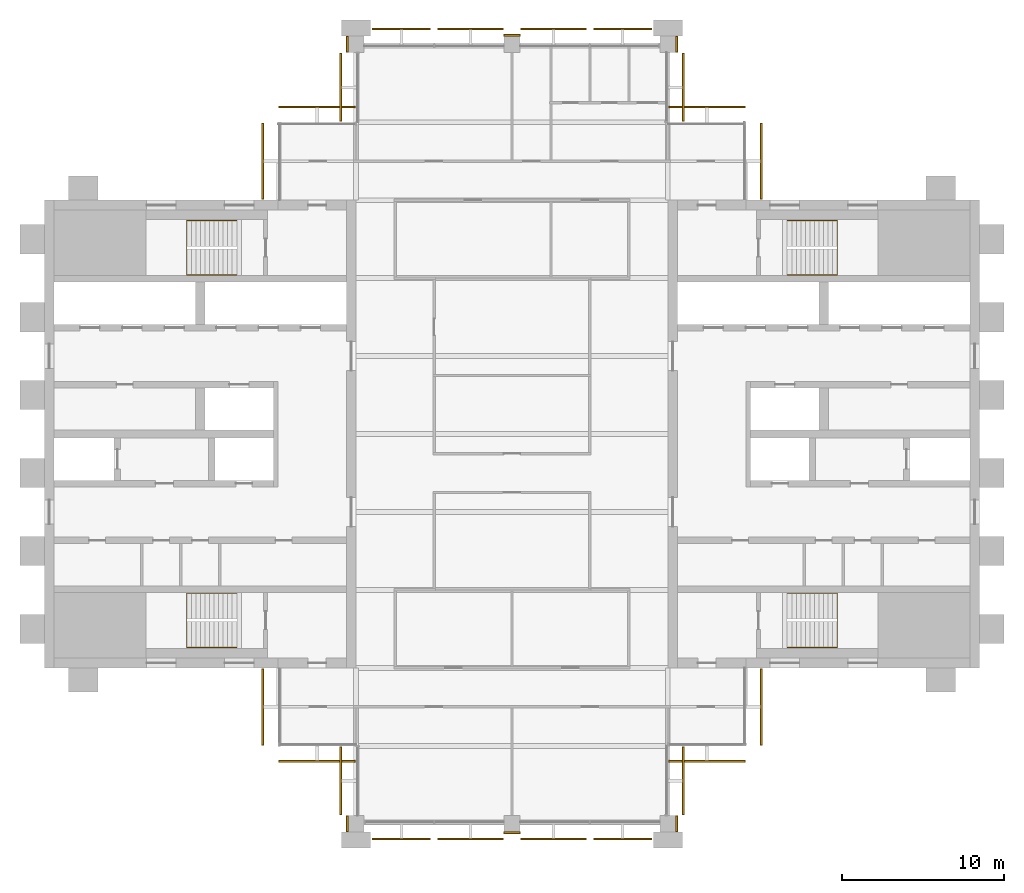
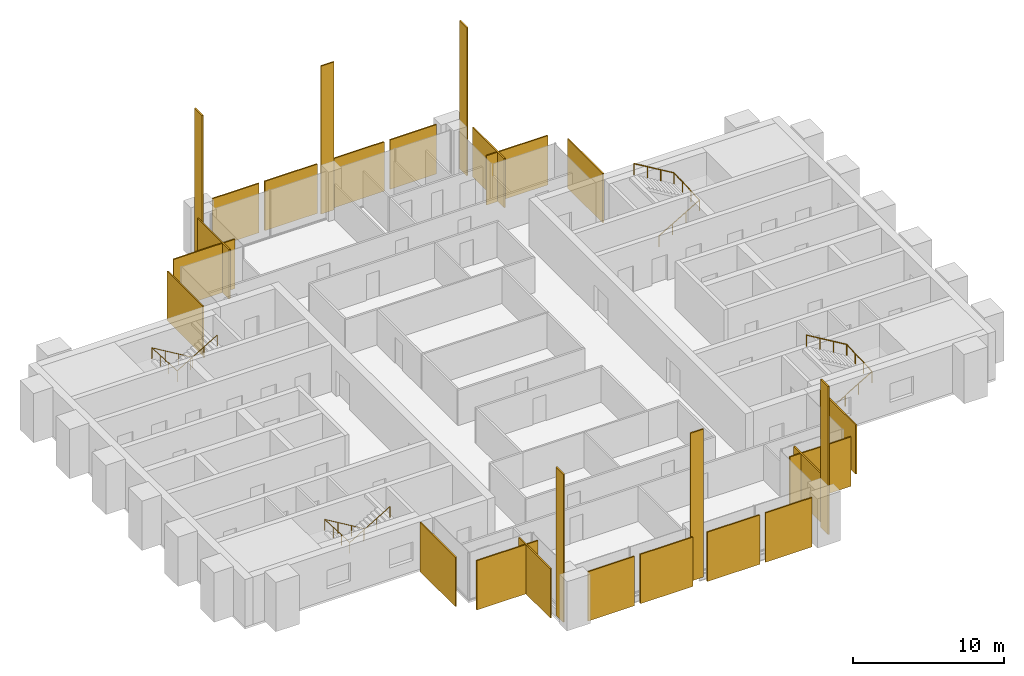
# One storey, part 13 of 13: 26 coverings, 4 railings.
"""IFC4 building model written with IfcOpenShell, lengths in metres."""

from ifc_helpers import new_model, si_unit, direction, frame, origin, origin_2d, place, context, subcontext, project, spatial, polyline, rectangle, circle, outline, extrude, material, layer, layer_set, type_object, element, save


model = new_model("IFC4")

# Units and contexts
model_context = context("Model", 3, precision=1e-05, world=origin(), true_north=direction((0.0, 1.0)))
body_context = subcontext(model_context, "Body", "Model", "MODEL_VIEW")
ifc_project = project(units=[si_unit("LENGTHUNIT", "METRE"), si_unit("AREAUNIT", "SQUARE_METRE"), si_unit("VOLUMEUNIT", "CUBIC_METRE"), si_unit("PLANEANGLEUNIT", "RADIAN"), si_unit("MASSUNIT", "GRAM", prefix="KILO")], contexts=[model_context])

# Site, building, storey
site_placement = place(None, origin())
site = spatial("IfcSite", under=ifc_project, at=site_placement, CompositionType="ELEMENT")
building_placement = place(site_placement, origin())
building = spatial("IfcBuilding", under=site, at=building_placement, Name="Baori Bourse Tower", CompositionType="ELEMENT")
storey_placement = place(building_placement, frame((0.0, 0.0, 318.300048828125)))
storey = spatial("IfcBuildingStorey", under=building, at=storey_placement, Name="L70", CompositionType="ELEMENT", Elevation=318.300048828125)

# Railings
ifc_material_1 = material(Name="Powder-coated steel balustrade", Category="steel")
railing_type = type_object("IfcRailingType", Name="Core stair handrail", PredefinedType="HANDRAIL", material=ifc_material_1)
railing_1_placement = place(storey_placement, frame((11.85009765625, 14.199951171875, 0.16650390625)))
element("IfcRailing", 1, at=railing_1_placement, inside=storey, type_object=railing_type, Name="L70 ST1 stair handrail 1", PredefinedType="HANDRAIL", context=body_context, shape_type="SweptSolid", body=[
    extrude(circle(Radius=0.02392578125, at=origin_2d()), frame((0.0, 0.0, 0.8759765625), z_axis=(-0.85927862911, 0.0, 0.511507807912), x_axis=(0.0, -1.0, 0.0)), (0.0, 0.0, 1.0), 3.58447265625),
    extrude(circle(Radius=0.02392578125, at=origin_2d()), frame((-3.080078125, 0.0, 2.70947265625), z_axis=(0.0, -0.998766999029, 0.049643545903), x_axis=(1.0, 0.0, 0.0)), (0.0, 0.0, 1.0), 3.35400390625),
    extrude(circle(Radius=0.02392578125, at=origin_2d()), frame((-3.080078125, -3.349853515625, 2.8759765625), z_axis=(0.85927862911, 0.0, 0.511507807912), x_axis=(0.0, 1.0, 0.0)), (0.0, 0.0, 1.0), 3.58447265625),
    extrude(circle(Radius=0.02099609375, at=origin_2d()), origin(), (0.0, 0.0, 1.0), 0.851806640625),
    extrude(circle(Radius=0.02099609375, at=origin_2d()), frame((-1.026611328125, 0.0, 0.611083984375)), (0.0, 0.0, 1.0), 0.851806640625),
    extrude(circle(Radius=0.02099609375, at=origin_2d()), frame((-2.053466796875, 0.0, 1.222412109375)), (0.0, 0.0, 1.0), 0.851806640625),
    extrude(circle(Radius=0.02099609375, at=origin_2d()), frame((-3.080078125, 0.0, 1.83349609375)), (0.0, 0.0, 1.0), 0.851806640625),
    extrude(circle(Radius=0.02099609375, at=origin_2d()), frame((-3.080078125, -1.11669921875, 1.888916015625)), (0.0, 0.0, 1.0), 0.851806640625),
    extrude(circle(Radius=0.02099609375, at=origin_2d()), frame((-3.080078125, -2.233154296875, 1.944580078125)), (0.0, 0.0, 1.0), 0.851806640625),
    extrude(circle(Radius=0.02099609375, at=origin_2d()), frame((-3.080078125, -3.349853515625, 2.0)), (0.0, 0.0, 1.0), 0.851806640625),
    extrude(circle(Radius=0.02099609375, at=origin_2d()), frame((-2.053466796875, -3.349853515625, 2.611083984375)), (0.0, 0.0, 1.0), 0.851806640625),
    extrude(circle(Radius=0.02099609375, at=origin_2d()), frame((-1.026611328125, -3.349853515625, 3.222412109375)), (0.0, 0.0, 1.0), 0.851806640625),
    extrude(circle(Radius=0.02099609375, at=origin_2d()), frame((0.0, -3.349853515625, 3.83349609375)), (0.0, 0.0, 1.0), 0.851806640625),
])
railing_2_placement = place(storey_placement, frame((11.85009765625, 37.14990234375, 0.16650390625)))
element("IfcRailing", 2, at=railing_2_placement, inside=storey, type_object=railing_type, Name="L70 ST2 stair handrail 1", PredefinedType="HANDRAIL", context=body_context, shape_type="SweptSolid", body=[
    extrude(circle(Radius=0.02392578125, at=origin_2d()), frame((0.0, 0.0, 0.8759765625), z_axis=(-0.85927862911, 0.0, 0.511507807912), x_axis=(0.0, -1.0, 0.0)), (0.0, 0.0, 1.0), 3.58447265625),
    extrude(circle(Radius=0.02392578125, at=origin_2d()), frame((-3.080078125, 0.0, 2.70947265625), z_axis=(0.0, -0.998766999029, 0.049643545903), x_axis=(1.0, 0.0, 0.0)), (0.0, 0.0, 1.0), 3.35400390625),
    extrude(circle(Radius=0.02392578125, at=origin_2d()), frame((-3.080078125, -3.349853515625, 2.8759765625), z_axis=(0.85927862911, 0.0, 0.511507807912), x_axis=(0.0, 1.0, 0.0)), (0.0, 0.0, 1.0), 3.58447265625),
    extrude(circle(Radius=0.02099609375, at=origin_2d()), origin(), (0.0, 0.0, 1.0), 0.851806640625),
    extrude(circle(Radius=0.02099609375, at=origin_2d()), frame((-1.026611328125, 0.0, 0.611083984375)), (0.0, 0.0, 1.0), 0.851806640625),
    extrude(circle(Radius=0.02099609375, at=origin_2d()), frame((-2.053466796875, 0.0, 1.222412109375)), (0.0, 0.0, 1.0), 0.851806640625),
    extrude(circle(Radius=0.02099609375, at=origin_2d()), frame((-3.080078125, 0.0, 1.83349609375)), (0.0, 0.0, 1.0), 0.851806640625),
    extrude(circle(Radius=0.02099609375, at=origin_2d()), frame((-3.080078125, -1.11669921875, 1.888916015625)), (0.0, 0.0, 1.0), 0.851806640625),
    extrude(circle(Radius=0.02099609375, at=origin_2d()), frame((-3.080078125, -2.233154296875, 1.944580078125)), (0.0, 0.0, 1.0), 0.851806640625),
    extrude(circle(Radius=0.02099609375, at=origin_2d()), frame((-3.080078125, -3.349853515625, 2.0)), (0.0, 0.0, 1.0), 0.851806640625),
    extrude(circle(Radius=0.02099609375, at=origin_2d()), frame((-2.053466796875, -3.349853515625, 2.611083984375)), (0.0, 0.0, 1.0), 0.851806640625),
    extrude(circle(Radius=0.02099609375, at=origin_2d()), frame((-1.026611328125, -3.349853515625, 3.222412109375)), (0.0, 0.0, 1.0), 0.851806640625),
    extrude(circle(Radius=0.02099609375, at=origin_2d()), frame((0.0, -3.349853515625, 3.83349609375)), (0.0, 0.0, 1.0), 0.851806640625),
])
railing_3_placement = place(storey_placement, frame((45.75, 10.85009765625, 0.16650390625)))
element("IfcRailing", 3, at=railing_3_placement, inside=storey, type_object=railing_type, Name="L70 ST3 stair handrail 1", PredefinedType="HANDRAIL", context=body_context, shape_type="SweptSolid", body=[
    extrude(circle(Radius=0.02392578125, at=origin_2d()), frame((0.0, 0.0, 0.8759765625), z_axis=(0.85927862911, 0.0, 0.511507807912), x_axis=(0.0, 1.0, 0.0)), (0.0, 0.0, 1.0), 3.58447265625),
    extrude(circle(Radius=0.02392578125, at=origin_2d()), frame((3.080078125, 0.0, 2.70947265625), z_axis=(0.0, 0.998766999029, 0.049643545903), x_axis=(-1.0, 0.0, 0.0)), (0.0, 0.0, 1.0), 3.35400390625),
    extrude(circle(Radius=0.02392578125, at=origin_2d()), frame((3.080078125, 3.349853515625, 2.8759765625), z_axis=(-0.85927862911, 0.0, 0.511507807912), x_axis=(0.0, -1.0, 0.0)), (0.0, 0.0, 1.0), 3.58447265625),
    extrude(circle(Radius=0.02099609375, at=origin_2d()), origin(), (0.0, 0.0, 1.0), 0.851806640625),
    extrude(circle(Radius=0.02099609375, at=origin_2d()), frame((1.026611328125, 0.0, 0.611083984375)), (0.0, 0.0, 1.0), 0.851806640625),
    extrude(circle(Radius=0.02099609375, at=origin_2d()), frame((2.053466796875, 0.0, 1.222412109375)), (0.0, 0.0, 1.0), 0.851806640625),
    extrude(circle(Radius=0.02099609375, at=origin_2d()), frame((3.080078125, 0.0, 1.83349609375)), (0.0, 0.0, 1.0), 0.851806640625),
    extrude(circle(Radius=0.02099609375, at=origin_2d()), frame((3.080078125, 1.11669921875, 1.888916015625)), (0.0, 0.0, 1.0), 0.851806640625),
    extrude(circle(Radius=0.02099609375, at=origin_2d()), frame((3.080078125, 2.233154296875, 1.944580078125)), (0.0, 0.0, 1.0), 0.851806640625),
    extrude(circle(Radius=0.02099609375, at=origin_2d()), frame((3.080078125, 3.349853515625, 2.0)), (0.0, 0.0, 1.0), 0.851806640625),
    extrude(circle(Radius=0.02099609375, at=origin_2d()), frame((2.053466796875, 3.349853515625, 2.611083984375)), (0.0, 0.0, 1.0), 0.851806640625),
    extrude(circle(Radius=0.02099609375, at=origin_2d()), frame((1.026611328125, 3.349853515625, 3.222412109375)), (0.0, 0.0, 1.0), 0.851806640625),
    extrude(circle(Radius=0.02099609375, at=origin_2d()), frame((0.0, 3.349853515625, 3.83349609375)), (0.0, 0.0, 1.0), 0.851806640625),
])
railing_4_placement = place(storey_placement, frame((45.75, 33.800048828125, 0.16650390625)))
element("IfcRailing", 4, at=railing_4_placement, inside=storey, type_object=railing_type, Name="L70 ST4 stair handrail 1", PredefinedType="HANDRAIL", context=body_context, shape_type="SweptSolid", body=[
    extrude(circle(Radius=0.02392578125, at=origin_2d()), frame((0.0, 0.0, 0.8759765625), z_axis=(0.85927862911, 0.0, 0.511507807912), x_axis=(0.0, 1.0, 0.0)), (0.0, 0.0, 1.0), 3.58447265625),
    extrude(circle(Radius=0.02392578125, at=origin_2d()), frame((3.080078125, 0.0, 2.70947265625), z_axis=(0.0, 0.998766999029, 0.049643545903), x_axis=(-1.0, 0.0, 0.0)), (0.0, 0.0, 1.0), 3.35400390625),
    extrude(circle(Radius=0.02392578125, at=origin_2d()), frame((3.080078125, 3.349853515625, 2.8759765625), z_axis=(-0.85927862911, 0.0, 0.511507807912), x_axis=(0.0, -1.0, 0.0)), (0.0, 0.0, 1.0), 3.58447265625),
    extrude(circle(Radius=0.02099609375, at=origin_2d()), origin(), (0.0, 0.0, 1.0), 0.851806640625),
    extrude(circle(Radius=0.02099609375, at=origin_2d()), frame((1.026611328125, 0.0, 0.611083984375)), (0.0, 0.0, 1.0), 0.851806640625),
    extrude(circle(Radius=0.02099609375, at=origin_2d()), frame((2.053466796875, 0.0, 1.222412109375)), (0.0, 0.0, 1.0), 0.851806640625),
    extrude(circle(Radius=0.02099609375, at=origin_2d()), frame((3.080078125, 0.0, 1.83349609375)), (0.0, 0.0, 1.0), 0.851806640625),
    extrude(circle(Radius=0.02099609375, at=origin_2d()), frame((3.080078125, 1.11669921875, 1.888916015625)), (0.0, 0.0, 1.0), 0.851806640625),
    extrude(circle(Radius=0.02099609375, at=origin_2d()), frame((3.080078125, 2.233154296875, 1.944580078125)), (0.0, 0.0, 1.0), 0.851806640625),
    extrude(circle(Radius=0.02099609375, at=origin_2d()), frame((3.080078125, 3.349853515625, 2.0)), (0.0, 0.0, 1.0), 0.851806640625),
    extrude(circle(Radius=0.02099609375, at=origin_2d()), frame((2.053466796875, 3.349853515625, 2.611083984375)), (0.0, 0.0, 1.0), 0.851806640625),
    extrude(circle(Radius=0.02099609375, at=origin_2d()), frame((1.026611328125, 3.349853515625, 3.222412109375)), (0.0, 0.0, 1.0), 0.851806640625),
    extrude(circle(Radius=0.02099609375, at=origin_2d()), frame((0.0, 3.349853515625, 3.83349609375)), (0.0, 0.0, 1.0), 0.851806640625),
])

# Coverings
ifc_material_2 = material(Name="Pale anodised aluminium", Category="aluminium")
ifc_layer_1 = layer(ifc_material_2, 0.10009765625)
ifc_layer_set_1 = layer_set([ifc_layer_1], Name="OS3 Outer skin screen panel")
covering_type_1 = type_object("IfcCoveringType", Name="OS3 Outer skin screen panel", PredefinedType="CLADDING", material=ifc_layer_set_1)
covering_1_placement = place(storey_placement, frame((0.0, 0.0, -0.16015625)))
element("IfcCovering", 5, at=covering_1_placement, inside=storey, type_object=covering_type_1, Name="Outer skin screen L70 1", PredefinedType="CLADDING", context=body_context, shape_type="SweptSolid", body=[
    extrude(outline(polyline([(44.10009765625, 43.14990234375), (44.10009765625, 38.449951171875), (44.199951171875, 38.449951171875), (44.199951171875, 43.14990234375), (44.10009765625, 43.14990234375)])), origin(), (0.0, 0.0, 1.0), 4.0),
])
covering_2_placement = place(storey_placement, frame((0.0, 0.0, -0.16015625)))
element("IfcCovering", 6, at=covering_2_placement, inside=storey, type_object=covering_type_1, Name="Outer skin screen L70 2", PredefinedType="CLADDING", context=body_context, shape_type="SweptSolid", body=[
    extrude(outline(polyline([(38.449951171875, 44.10009765625), (43.14990234375, 44.10009765625), (43.14990234375, 44.199951171875), (38.449951171875, 44.199951171875), (38.449951171875, 44.10009765625)])), origin(), (0.0, 0.0, 1.0), 4.0),
])
covering_3_placement = place(storey_placement, frame((0.0, 0.0, -0.16015625)))
element("IfcCovering", 7, at=covering_3_placement, inside=storey, type_object=covering_type_1, Name="Outer skin screen L70 3", PredefinedType="CLADDING", context=body_context, shape_type="SweptSolid", body=[
    extrude(outline(polyline([(39.300048828125, 47.449951171875), (39.300048828125, 43.25), (39.39990234375, 43.25), (39.39990234375, 47.449951171875), (39.300048828125, 47.449951171875)])), origin(), (0.0, 0.0, 1.0), 4.0),
])
covering_4_placement = place(storey_placement, frame((0.0, 0.0, -0.16015625)))
element("IfcCovering", 8, at=covering_4_placement, inside=storey, type_object=covering_type_1, Name="Outer skin screen L70 4", PredefinedType="CLADDING", context=body_context, shape_type="SweptSolid", body=[
    extrude(outline(polyline([(33.824951171875, 48.89990234375), (37.39990234375, 48.89990234375), (37.39990234375, 49.0), (33.824951171875, 49.0), (33.824951171875, 48.89990234375)])), origin(), (0.0, 0.0, 1.0), 4.0),
])
covering_5_placement = place(storey_placement, frame((0.0, 0.0, -0.16015625)))
element("IfcCovering", 9, at=covering_5_placement, inside=storey, type_object=covering_type_1, Name="Outer skin screen L70 5", PredefinedType="CLADDING", context=body_context, shape_type="SweptSolid", body=[
    extrude(outline(polyline([(29.35009765625, 48.89990234375), (33.375, 48.89990234375), (33.375, 49.0), (29.35009765625, 49.0), (29.35009765625, 48.89990234375)])), origin(), (0.0, 0.0, 1.0), 4.0),
])
covering_6_placement = place(storey_placement, frame((0.0, 0.0, -0.16015625)))
element("IfcCovering", 10, at=covering_6_placement, inside=storey, type_object=covering_type_1, Name="Outer skin screen L70 6", PredefinedType="CLADDING", context=body_context, shape_type="SweptSolid", body=[
    extrude(outline(polyline([(24.22509765625, 48.89990234375), (28.25, 48.89990234375), (28.25, 49.0), (24.22509765625, 49.0), (24.22509765625, 48.89990234375)])), origin(), (0.0, 0.0, 1.0), 4.0),
])
covering_7_placement = place(storey_placement, frame((0.0, 0.0, -0.16015625)))
element("IfcCovering", 11, at=covering_7_placement, inside=storey, type_object=covering_type_1, Name="Outer skin screen L70 7", PredefinedType="CLADDING", context=body_context, shape_type="SweptSolid", body=[
    extrude(outline(polyline([(20.199951171875, 48.89990234375), (23.77490234375, 48.89990234375), (23.77490234375, 49.0), (20.199951171875, 49.0), (20.199951171875, 48.89990234375)])), origin(), (0.0, 0.0, 1.0), 4.0),
])
covering_8_placement = place(storey_placement, frame((0.0, 0.0, -0.16015625)))
element("IfcCovering", 12, at=covering_8_placement, inside=storey, type_object=covering_type_1, Name="Outer skin screen L70 8", PredefinedType="CLADDING", context=body_context, shape_type="SweptSolid", body=[
    extrude(outline(polyline([(18.300048828125, 43.25), (18.300048828125, 47.449951171875), (18.199951171875, 47.449951171875), (18.199951171875, 43.25), (18.300048828125, 43.25)])), origin(), (0.0, 0.0, 1.0), 4.0),
])
covering_9_placement = place(storey_placement, frame((0.0, 0.0, -0.16015625)))
element("IfcCovering", 13, at=covering_9_placement, inside=storey, type_object=covering_type_1, Name="Outer skin screen L70 9", PredefinedType="CLADDING", context=body_context, shape_type="SweptSolid", body=[
    extrude(outline(polyline([(14.449951171875, 44.10009765625), (19.14990234375, 44.10009765625), (19.14990234375, 44.199951171875), (14.449951171875, 44.199951171875), (14.449951171875, 44.10009765625)])), origin(), (0.0, 0.0, 1.0), 4.0),
])
covering_10_placement = place(storey_placement, frame((0.0, 0.0, -0.16015625)))
element("IfcCovering", 14, at=covering_10_placement, inside=storey, type_object=covering_type_1, Name="Outer skin screen L70 10", PredefinedType="CLADDING", context=body_context, shape_type="SweptSolid", body=[
    extrude(outline(polyline([(13.5, 38.449951171875), (13.5, 43.14990234375), (13.39990234375, 43.14990234375), (13.39990234375, 38.449951171875), (13.5, 38.449951171875)])), origin(), (0.0, 0.0, 1.0), 4.0),
])
covering_11_placement = place(storey_placement, frame((0.0, 0.0, -0.16015625)))
element("IfcCovering", 15, at=covering_11_placement, inside=storey, type_object=covering_type_1, Name="Outer skin screen L70 11", PredefinedType="CLADDING", context=body_context, shape_type="SweptSolid", body=[
    extrude(outline(polyline([(13.5, 4.85009765625), (13.5, 9.550048828125), (13.39990234375, 9.550048828125), (13.39990234375, 4.85009765625), (13.5, 4.85009765625)])), origin(), (0.0, 0.0, 1.0), 4.0),
])
covering_12_placement = place(storey_placement, frame((0.0, 0.0, -0.16015625)))
element("IfcCovering", 16, at=covering_12_placement, inside=storey, type_object=covering_type_1, Name="Outer skin screen L70 12", PredefinedType="CLADDING", context=body_context, shape_type="SweptSolid", body=[
    extrude(outline(polyline([(19.14990234375, 3.89990234375), (14.449951171875, 3.89990234375), (14.449951171875, 3.800048828125), (19.14990234375, 3.800048828125), (19.14990234375, 3.89990234375)])), origin(), (0.0, 0.0, 1.0), 4.0),
])
covering_13_placement = place(storey_placement, frame((0.0, 0.0, -0.16015625)))
element("IfcCovering", 17, at=covering_13_placement, inside=storey, type_object=covering_type_1, Name="Outer skin screen L70 13", PredefinedType="CLADDING", context=body_context, shape_type="SweptSolid", body=[
    extrude(outline(polyline([(18.300048828125, 0.550048828125), (18.300048828125, 4.75), (18.199951171875, 4.75), (18.199951171875, 0.550048828125), (18.300048828125, 0.550048828125)])), origin(), (0.0, 0.0, 1.0), 4.0),
])
covering_14_placement = place(storey_placement, frame((0.0, 0.0, -0.16015625)))
element("IfcCovering", 18, at=covering_14_placement, inside=storey, type_object=covering_type_1, Name="Outer skin screen L70 14", PredefinedType="CLADDING", context=body_context, shape_type="SweptSolid", body=[
    extrude(outline(polyline([(23.77490234375, -0.89990234375), (20.199951171875, -0.89990234375), (20.199951171875, -1.0), (23.77490234375, -1.0), (23.77490234375, -0.89990234375)])), origin(), (0.0, 0.0, 1.0), 4.0),
])
covering_15_placement = place(storey_placement, frame((0.0, 0.0, -0.16015625)))
element("IfcCovering", 19, at=covering_15_placement, inside=storey, type_object=covering_type_1, Name="Outer skin screen L70 15", PredefinedType="CLADDING", context=body_context, shape_type="SweptSolid", body=[
    extrude(outline(polyline([(28.25, -0.89990234375), (24.22509765625, -0.89990234375), (24.22509765625, -1.0), (28.25, -1.0), (28.25, -0.89990234375)])), origin(), (0.0, 0.0, 1.0), 4.0),
])
covering_16_placement = place(storey_placement, frame((0.0, 0.0, -0.16015625)))
element("IfcCovering", 20, at=covering_16_placement, inside=storey, type_object=covering_type_1, Name="Outer skin screen L70 16", PredefinedType="CLADDING", context=body_context, shape_type="SweptSolid", body=[
    extrude(outline(polyline([(33.375, -0.89990234375), (29.35009765625, -0.89990234375), (29.35009765625, -1.0), (33.375, -1.0), (33.375, -0.89990234375)])), origin(), (0.0, 0.0, 1.0), 4.0),
])
covering_17_placement = place(storey_placement, frame((0.0, 0.0, -0.16015625)))
element("IfcCovering", 21, at=covering_17_placement, inside=storey, type_object=covering_type_1, Name="Outer skin screen L70 17", PredefinedType="CLADDING", context=body_context, shape_type="SweptSolid", body=[
    extrude(outline(polyline([(37.39990234375, -0.89990234375), (33.824951171875, -0.89990234375), (33.824951171875, -1.0), (37.39990234375, -1.0), (37.39990234375, -0.89990234375)])), origin(), (0.0, 0.0, 1.0), 4.0),
])
covering_18_placement = place(storey_placement, frame((0.0, 0.0, -0.16015625)))
element("IfcCovering", 22, at=covering_18_placement, inside=storey, type_object=covering_type_1, Name="Outer skin screen L70 18", PredefinedType="CLADDING", context=body_context, shape_type="SweptSolid", body=[
    extrude(outline(polyline([(39.300048828125, 4.75), (39.300048828125, 0.550048828125), (39.39990234375, 0.550048828125), (39.39990234375, 4.75), (39.300048828125, 4.75)])), origin(), (0.0, 0.0, 1.0), 4.0),
])
covering_19_placement = place(storey_placement, frame((0.0, 0.0, -0.16015625)))
element("IfcCovering", 23, at=covering_19_placement, inside=storey, type_object=covering_type_1, Name="Outer skin screen L70 19", PredefinedType="CLADDING", context=body_context, shape_type="SweptSolid", body=[
    extrude(outline(polyline([(43.14990234375, 3.89990234375), (38.449951171875, 3.89990234375), (38.449951171875, 3.800048828125), (43.14990234375, 3.800048828125), (43.14990234375, 3.89990234375)])), origin(), (0.0, 0.0, 1.0), 4.0),
])
covering_20_placement = place(storey_placement, frame((0.0, 0.0, -0.16015625)))
element("IfcCovering", 24, at=covering_20_placement, inside=storey, type_object=covering_type_1, Name="Outer skin screen L70 20", PredefinedType="CLADDING", context=body_context, shape_type="SweptSolid", body=[
    extrude(outline(polyline([(44.10009765625, 9.550048828125), (44.10009765625, 4.85009765625), (44.199951171875, 4.85009765625), (44.199951171875, 9.550048828125), (44.10009765625, 9.550048828125)])), origin(), (0.0, 0.0, 1.0), 4.0),
])
ifc_material_3 = material(Name="Face brick", Category="masonry")
ifc_layer_2 = layer(ifc_material_3, 0.110107421875)
ifc_layer_set_2 = layer_set([ifc_layer_2], Name="PC1 Brick pier facing")
covering_type_2 = type_object("IfcCoveringType", Name="PC1 Brick pier facing", PredefinedType="CLADDING", material=ifc_layer_set_2)
covering_21_placement = place(storey_placement, frame((18.64501953125, 0.0, 0.0), z_axis=(0.0, 0.0, 1.0), x_axis=(1.0, 0.0, 0.0)))
element("IfcCovering", 25, at=covering_21_placement, inside=storey, type_object=covering_type_2, Name="Brick pier facing L70 1", PredefinedType="CLADDING", context=body_context, shape_type="SweptSolid", body=[
    extrude(rectangle(XDim=0.110107421875, YDim=1.0, at=origin_2d()), origin(), (0.0, 0.0, 1.0), 12.0),
])
covering_22_placement = place(storey_placement, frame((28.800048828125, -0.554931640625, 0.0), z_axis=(0.0, 0.0, 1.0), x_axis=(1.0, 0.0, 0.0)))
element("IfcCovering", 26, at=covering_22_placement, inside=storey, type_object=covering_type_2, Name="Brick pier facing L70 2", PredefinedType="CLADDING", context=body_context, shape_type="SweptSolid", body=[
    extrude(rectangle(XDim=1.0, YDim=0.110107421875, at=origin_2d()), origin(), (0.0, 0.0, 1.0), 12.0),
])
for number, where, z_axis, x_axis, name in (
    (27, (38.955078125, 0.0, 0.0), (0.0, 0.0, 1.0), (1.0, 0.0, 0.0), "Brick pier facing L70 3"),
    (28, (18.64501953125, 48.0, 0.0), (0.0, 0.0, 1.0), (1.0, 0.0, 0.0), "Brick pier facing L70 4"),
):
    element("IfcCovering", number, at=place(storey_placement, frame(where, z_axis=z_axis, x_axis=x_axis)), inside=storey, type_object=covering_type_2, Name=name, PredefinedType="CLADDING", context=body_context, shape_type="SweptSolid", body=[
        extrude(rectangle(XDim=0.110107421875, YDim=1.0, at=origin_2d()), origin(), (0.0, 0.0, 1.0), 12.0),
    ])
covering_23_placement = place(storey_placement, frame((28.800048828125, 48.554931640625, 0.0), z_axis=(0.0, 0.0, 1.0), x_axis=(1.0, 0.0, 0.0)))
element("IfcCovering", 29, at=covering_23_placement, inside=storey, type_object=covering_type_2, Name="Brick pier facing L70 5", PredefinedType="CLADDING", context=body_context, shape_type="SweptSolid", body=[
    extrude(rectangle(XDim=1.0, YDim=0.110107421875, at=origin_2d()), origin(), (0.0, 0.0, 1.0), 12.0),
])
covering_24_placement = place(storey_placement, frame((38.955078125, 48.0, 0.0), z_axis=(0.0, 0.0, 1.0), x_axis=(1.0, 0.0, 0.0)))
element("IfcCovering", 30, at=covering_24_placement, inside=storey, type_object=covering_type_2, Name="Brick pier facing L70 6", PredefinedType="CLADDING", context=body_context, shape_type="SweptSolid", body=[
    extrude(rectangle(XDim=0.110107421875, YDim=1.0, at=origin_2d()), origin(), (0.0, 0.0, 1.0), 12.0),
])

save(model, "model.ifc")
